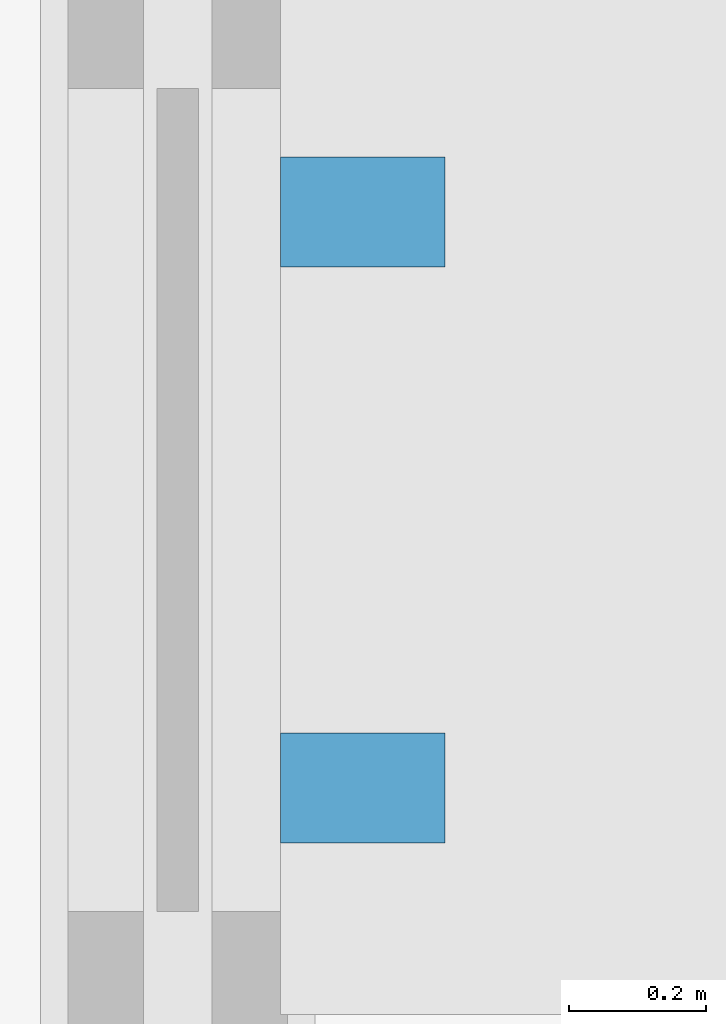
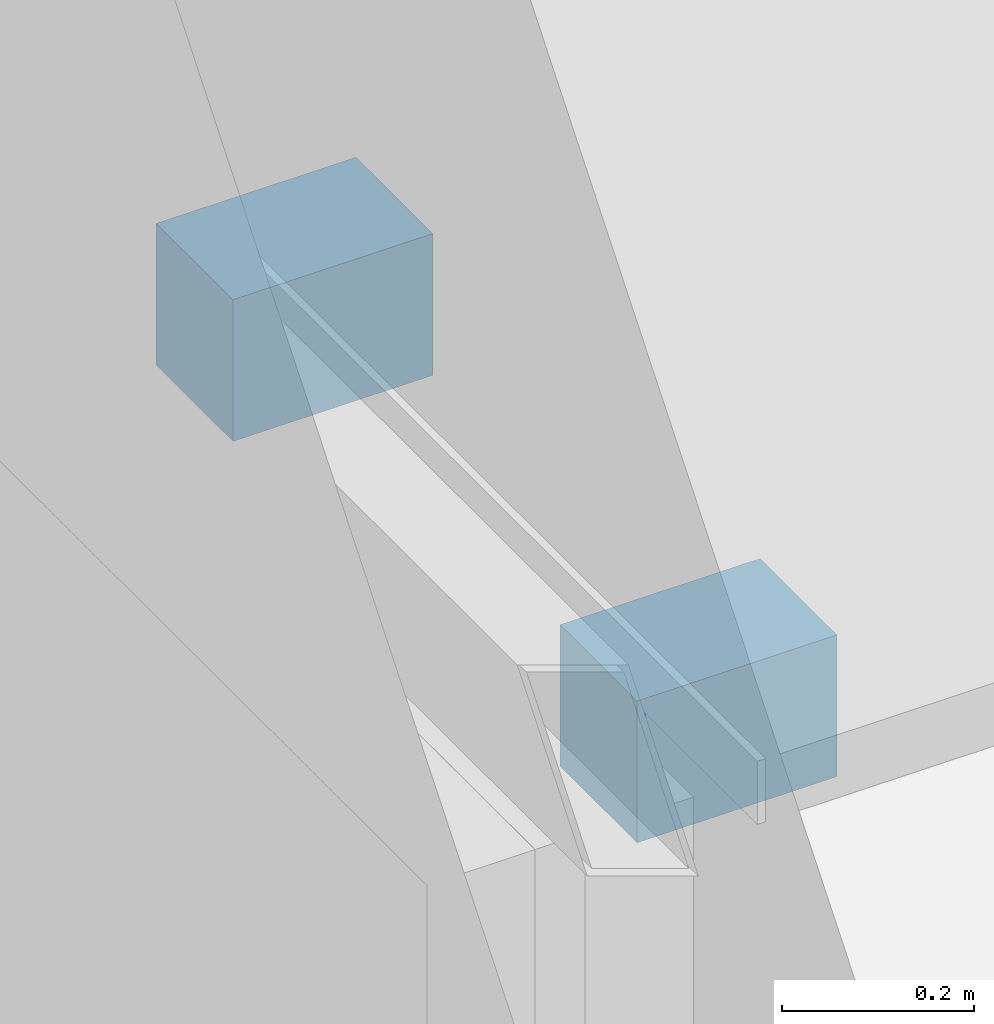
# One storey, part 103 of 130: 2 discrete accessories.
"""IFC4 building model written with IfcOpenShell, lengths in metres."""

from ifc_helpers import new_model, si_unit, direction, frame, origin, origin_2d, place, context, subcontext, project, spatial, rectangle, extrude, material, type_object, element, save


model = new_model("IFC4")

# Units and contexts
model_context = context("Model", 3, precision=1e-05, world=origin(), true_north=direction((0.0, 1.0)))
body_context = subcontext(model_context, "Body", "Model", "MODEL_VIEW")
ifc_project = project(units=[si_unit("LENGTHUNIT", "METRE"), si_unit("AREAUNIT", "SQUARE_METRE"), si_unit("VOLUMEUNIT", "CUBIC_METRE"), si_unit("PLANEANGLEUNIT", "RADIAN"), si_unit("MASSUNIT", "GRAM", prefix="KILO"), si_unit("THERMODYNAMICTEMPERATUREUNIT", "KELVIN")], contexts=[model_context])

# Site, building, storey
site_placement = place(None, origin())
site = spatial("IfcSite", under=ifc_project, at=site_placement, CompositionType="ELEMENT")
building_placement = place(site_placement, origin())
building = spatial("IfcBuilding", under=site, at=building_placement, Name="Nduvali Passage Aquatics Centre", CompositionType="ELEMENT")
storey_placement = place(building_placement, origin())
storey = spatial("IfcBuildingStorey", under=building, at=storey_placement, Name="L00", CompositionType="ELEMENT", Elevation=0.0)

# Discrete accessories
ifc_material = material(Name="Steel S355", Category="steel")
discrete_accessory_type = type_object("IfcDiscreteAccessoryType", Name="ENV-BRK-S355", PredefinedType="BRACKET", material=ifc_material)
for number, where, z_axis, x_axis, name in (
    (1, (126.27001953125, 31.593017578125, 2.48486328125), (0.0, 0.0, 1.0), (0.0, 1.0, 0.0), "L00 Sunshade Bracket 0103"),
    (2, (126.27001953125, 32.43310546875, 2.48486328125), (0.0, 0.0, 1.0), (0.0, 1.0, 0.0), "L00 Sunshade Bracket 0104"),
):
    element("IfcDiscreteAccessory", number, at=place(storey_placement, frame(where, z_axis=z_axis, x_axis=x_axis)), inside=storey, type_object=discrete_accessory_type, Name=name, PredefinedType="BRACKET", context=body_context, shape_type="SweptSolid", body=[
        extrude(rectangle(XDim=0.159912109375, YDim=0.239990234375, at=origin_2d()), origin(), (0.0, 0.0, 1.0), 0.179931640625),
    ])

save(model, "model.ifc")
